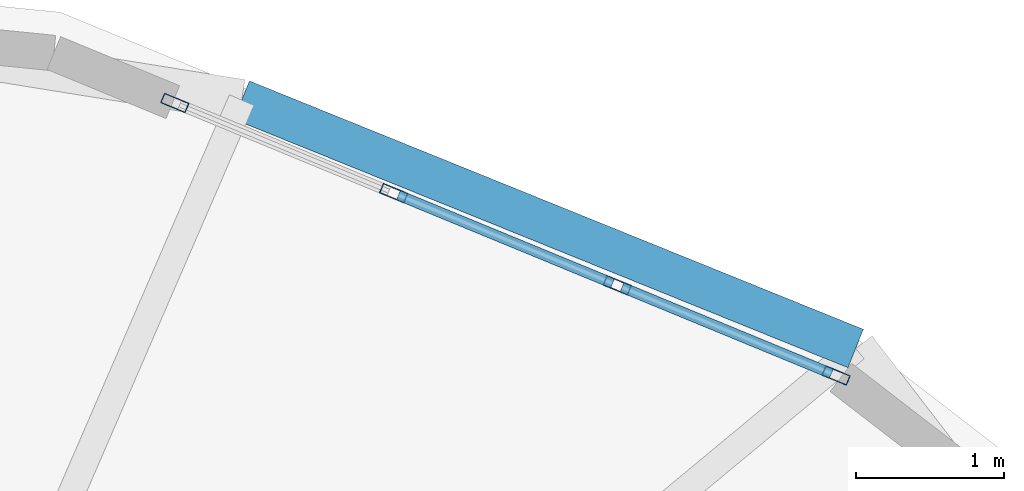
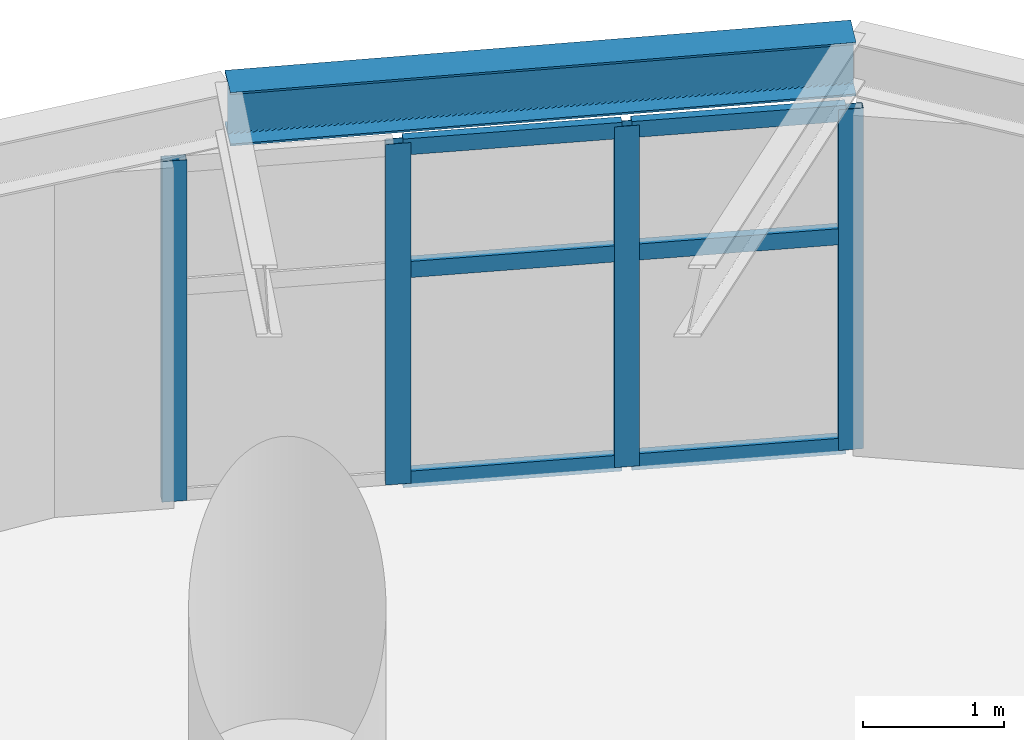
# One storey, part 10 of 20: 10 members, 1 beam, 1 element without a shape of its own.
"""IFC4 building model written with IfcOpenShell, lengths in metres."""

import ifcopenshell
import ifcopenshell.guid

model = None  # the IFC model being written
_history = None  # IfcOwnerHistory: only IFC2X3 demands one
_inside = {}  # id of a spatial element -> (the spatial element, [elements in it])
_under = {}  # id of a project, library or spatial element -> (it, [spatial elements below it])
_declared = {}  # id of a project -> (the project, [libraries it declares])
_typed = {}  # id of a type object -> (the type object, [elements of that type])
_made_of = {}  # id of a material, layer set ... -> (it, [elements and type objects made of it])


def new_model(schema):
    """Start an empty IFC model of exactly this schema.

    Asked for "IFC4X3", IfcOpenShell would pick the latest addendum, in which some entities
    have other attributes; the version numbers below select the first issue.
    IFC2X3 requires an IfcOwnerHistory on every rooted entity: one is made here for all.
    """
    global model, _history
    if schema == "IFC4X3":
        model = ifcopenshell.file(schema_version=(4, 3, 0, 0))
    else:
        model = ifcopenshell.file(schema=schema)
    _inside.clear()
    _under.clear()
    _declared.clear()
    _typed.clear()
    _made_of.clear()
    _history = None
    if model.schema == "IFC2X3":
        org = make("IfcOrganization", Name="unknown")
        user = make(
            "IfcPersonAndOrganization",
            ThePerson=make("IfcPerson", FamilyName="unknown"),
            TheOrganization=org,
        )
        app = make(
            "IfcApplication",
            ApplicationDeveloper=org,
            Version="unknown",
            ApplicationFullName="unknown",
            ApplicationIdentifier="unknown",
        )
        _history = make(
            "IfcOwnerHistory",
            OwningUser=user,
            OwningApplication=app,
            ChangeAction="ADDED",
            CreationDate=0,
        )
    return model


def make(cls, **values):
    """One entity of the class cls with the attributes given. An attribute that is None is left unset."""
    return model.create_entity(
        cls, **{name: value for name, value in values.items() if value is not None}
    )


def rooted(cls, **values):
    """An entity with a GlobalId (a new one), such as an element, a storey or a relation."""
    return make(cls, GlobalId=ifcopenshell.guid.new(), OwnerHistory=_history, **values)


def si_unit(unit_type, name, prefix=None):
    """IfcSIUnit, for example si_unit("LENGTHUNIT", "METRE", prefix="MILLI")."""
    return make("IfcSIUnit", UnitType=unit_type, Prefix=prefix, Name=name)


def assignment(units):
    """IfcUnitAssignment: the units of a project."""
    return None if units is None else make("IfcUnitAssignment", Units=units)


def point(xyz):
    """IfcCartesianPoint."""
    return None if xyz is None else make("IfcCartesianPoint", Coordinates=xyz)


def direction(xyz):
    """IfcDirection."""
    return None if xyz is None else make("IfcDirection", DirectionRatios=xyz)


def frame(location, z_axis=None, x_axis=None):
    """IfcAxis2Placement3D, a coordinate frame: its origin and axes. An axis left out is left unset."""
    return make(
        "IfcAxis2Placement3D",
        Location=point(location),
        Axis=direction(z_axis),
        RefDirection=direction(x_axis),
    )


def frame_2d(location, x_axis=None):
    """IfcAxis2Placement2D, a coordinate frame in the plane: its origin and x axis."""
    return make(
        "IfcAxis2Placement2D", Location=point(location), RefDirection=direction(x_axis)
    )


def origin():
    """The frame at (0, 0, 0) with its axes left unset."""
    return frame((0.0, 0.0, 0.0))


def origin_2d():
    """The frame at (0, 0) in the plane with its x axis left unset."""
    return frame_2d((0.0, 0.0))


def place(relative_to, where):
    """IfcLocalPlacement: puts the frame where relative to a parent placement (None: the world)."""
    return make(
        "IfcLocalPlacement", PlacementRelTo=relative_to, RelativePlacement=where
    )


def context(
    kind, dimensions, precision=None, world=None, true_north=None, identifier=None
):
    """IfcGeometricRepresentationContext, for example the 3D "Model" context."""
    return make(
        "IfcGeometricRepresentationContext",
        ContextIdentifier=identifier,
        ContextType=kind,
        CoordinateSpaceDimension=dimensions,
        Precision=precision,
        WorldCoordinateSystem=world,
        TrueNorth=true_north,
    )


def subcontext(parent, identifier, kind, view, scale=None):
    """IfcGeometricRepresentationSubContext, for example "Body" below "Model"."""
    return make(
        "IfcGeometricRepresentationSubContext",
        ContextIdentifier=identifier,
        ContextType=kind,
        ParentContext=parent,
        TargetScale=scale,
        TargetView=view,
    )


def project(units=None, contexts=None):
    """IfcProject with its units and contexts."""
    return rooted(
        "IfcProject",
        Name="project",
        RepresentationContexts=contexts,
        UnitsInContext=assignment(units),
    )


def spatial(cls, under=None, at=None, **own):
    """A site, building, storey or space (cls), placed at a placement, below another one or the project."""
    s = rooted(cls, ObjectPlacement=at, **own)
    if under is not None:
        _under.setdefault(under.id(), (under, []))[1].append(s)
    return s


def profile(cls, at=None, kind="AREA", **sizes):
    """A parametric profile (cls). Its sizes go by their IFC names, for example OverallWidth=200.0."""
    return make(cls, ProfileType=kind, Position=at, **sizes)


def hollow_rectangle(**sizes):
    """IfcRectangleHollowProfileDef."""
    return profile("IfcRectangleHollowProfileDef", **sizes)


def i_section(**sizes):
    """IfcIShapeProfileDef."""
    return profile("IfcIShapeProfileDef", **sizes)


def extrude(swept, where, along, depth):
    """IfcExtrudedAreaSolid: the profile swept, set in the frame where, extruded along a direction by depth."""
    return make(
        "IfcExtrudedAreaSolid",
        SweptArea=swept,
        Position=where,
        ExtrudedDirection=direction(along),
        Depth=depth,
    )


def shape(context_of_items, identifier, shape_type, items):
    """IfcShapeRepresentation: the items that make up one representation, for example the "Body"."""
    return make(
        "IfcShapeRepresentation",
        ContextOfItems=context_of_items,
        RepresentationIdentifier=identifier,
        RepresentationType=shape_type,
        Items=items,
    )


def material(Name=None, Category=None):
    """IfcMaterial."""
    return make("IfcMaterial", Name=Name, Category=Category)


def layer(
    of_material, thickness, ventilated=None, Name=None, Category=None, Priority=None
):
    """IfcMaterialLayer: one layer of a wall or slab, of a material (None: an air gap)."""
    return make(
        "IfcMaterialLayer",
        Material=of_material,
        LayerThickness=thickness,
        IsVentilated=ventilated,
        Name=Name,
        Category=Category,
        Priority=Priority,
    )


def layer_set(layers, Name=None):
    """IfcMaterialLayerSet."""
    return make("IfcMaterialLayerSet", MaterialLayers=layers, LayerSetName=Name)


def material_profile(
    of_material, cross_section, Name=None, Category=None, Priority=None
):
    """IfcMaterialProfile: a cross section and its material."""
    return make(
        "IfcMaterialProfile",
        Name=Name,
        Material=of_material,
        Profile=cross_section,
        Priority=Priority,
        Category=Category,
    )


def profile_set(profiles, Name=None, composite=None):
    """IfcMaterialProfileSet."""
    return make(
        "IfcMaterialProfileSet",
        Name=Name,
        MaterialProfiles=profiles,
        CompositeProfile=composite,
    )


def made_of(thing, what):
    """Note that an element or type object is made of a material, layer set ...; save() writes the relation."""
    if what is not None:
        _made_of.setdefault(what.id(), (what, []))[1].append(thing)
    return thing


def type_object(cls, material=None, **own):
    """A type object (cls), such as IfcWallType, which elements share."""
    return made_of(rooted(cls, **own), material)


def element(
    cls,
    number,
    at=None,
    inside=None,
    cuts=None,
    type_object=None,
    material=None,
    context=None,
    identifier="Body",
    shape_type=None,
    held_by="IfcProductDefinitionShape",
    body=None,
    shapes=None,
    **own,
):
    """One element of the class cls, such as IfcWall. Its Tag is "e" and its number.

    at: its placement. inside: the storey or other place that contains it. cuts: it is an
    opening in that element (IfcRelVoidsElement). A single representation is given by context,
    identifier, shape_type and body (its items); several are given by shapes. held_by: the class
    of the entity that holds the representations. save() writes the other relations.
    """
    e = rooted(cls, Tag="e%d" % number, ObjectPlacement=at, **own)
    if body is not None:
        shapes = [shape(context, identifier, shape_type, body)]
    if shapes is not None:
        e.Representation = make(held_by, Representations=shapes)
    if inside is not None:
        _inside.setdefault(inside.id(), (inside, []))[1].append(e)
    if cuts is not None:
        rooted(
            "IfcRelVoidsElement", RelatingBuildingElement=cuts, RelatedOpeningElement=e
        )
    if type_object is not None:
        _typed.setdefault(type_object.id(), (type_object, []))[1].append(e)
    return made_of(e, material)


def aggregate(whole, parts):
    """IfcRelAggregates: a whole, such as a stair, and the parts it consists of."""
    return rooted("IfcRelAggregates", RelatingObject=whole, RelatedObjects=parts)


def save(model, path):
    """Write the relations noted so far, then the file.

    IfcRelAggregates (storeys below a building ...), IfcRelContainedInSpatialStructure (elements
    in a storey), IfcRelDefinesByType, IfcRelAssociatesMaterial and IfcRelDeclares: one each for
    every whole, place, type object, material and project.
    """
    for whole, parts in _under.values():
        aggregate(whole, parts)
    for where, things in _inside.values():
        rooted(
            "IfcRelContainedInSpatialStructure",
            RelatedElements=things,
            RelatingStructure=where,
        )
    for kind, things in _typed.values():
        rooted("IfcRelDefinesByType", RelatedObjects=things, RelatingType=kind)
    for what, things in _made_of.values():
        rooted("IfcRelAssociatesMaterial", RelatedObjects=things, RelatingMaterial=what)
    for by, libraries in _declared.values():
        rooted("IfcRelDeclares", RelatingContext=by, RelatedDefinitions=libraries)
    model.write(path)


model = new_model("IFC4")

# Units and contexts
model_context = context("Model", 3, precision=1e-05, world=origin(), true_north=direction((0.0, 1.0)))
body_context = subcontext(model_context, "Body", "Model", "MODEL_VIEW")
ifc_project = project(units=[si_unit("LENGTHUNIT", "METRE"), si_unit("AREAUNIT", "SQUARE_METRE"), si_unit("VOLUMEUNIT", "CUBIC_METRE"), si_unit("PLANEANGLEUNIT", "RADIAN"), si_unit("MASSUNIT", "GRAM", prefix="KILO")], contexts=[model_context])

# Site, building, storey
site_placement = place(None, origin())
site = spatial("IfcSite", under=ifc_project, at=site_placement, CompositionType="ELEMENT")
building_placement = place(site_placement, origin())
building = spatial("IfcBuilding", under=site, at=building_placement, Name="Cununo Teusaquillo Station Towers", CompositionType="ELEMENT")
storey_placement = place(building_placement, frame((0.0, 0.0, 129.159912109375)))
storey = spatial("IfcBuildingStorey", under=building, at=storey_placement, Name="L41", CompositionType="ELEMENT", Elevation=129.159912109375)

# Beam
ifc_material_1 = material(Name="Steel ASTM A572 Grade 50", Category="steel")
ifc_material_profile_1 = material_profile(ifc_material_1, i_section(OverallWidth=0.280029296875, OverallDepth=0.462890625, WebThickness=0.0107421875, FlangeThickness=0.017333984375, FilletRadius=0.013916015625, at=origin_2d()), Name="W18X76")
ifc_profile_set_1 = profile_set([ifc_material_profile_1], Name="Steel ASTM A572 Grade 50")
beam_type = type_object("IfcBeamType", Name="BM-RING-Z2", PredefinedType="SPANDREL", material=ifc_profile_set_1)
beam_placement = place(storey_placement, frame((63.9111328125, 39.341064453125, 3.20849609375), z_axis=(-0.927007712072, 0.375042266631, 0.0), x_axis=(-0.375042266631, -0.927007712072, 0.0)))
element("IfcBeam", 1, at=beam_placement, inside=storey, type_object=beam_type, Name="L41 Tower B Spandrel Ring Beam 02", PredefinedType="SPANDREL", context=body_context, shape_type="SweptSolid", body=[
    extrude(i_section(OverallWidth=0.280029296875, OverallDepth=0.462890625, WebThickness=0.0107421875, FlangeThickness=0.017333984375, FilletRadius=0.013916015625, at=origin_2d()), origin(), (0.0, 0.0, 1.0), 4.480712890625),
])

# Curtain wall, members
ifc_material_2 = material(Name="Ceramic-fritted dark low-E double glazing", Category="glass")
ifc_layer = layer(ifc_material_2, 0.179931640625)
ifc_layer_set = layer_set([ifc_layer], Name="Ceramic-fritted dark low-E double glazing")
curtain_wall_type = type_object("IfcCurtainWallType", Name="CW-SYS-04", PredefinedType="USERDEFINED", material=ifc_layer_set)
curtain_wall_placement = place(storey_placement, origin())
curtain_wall = element("IfcCurtainWall", 2, at=curtain_wall_placement, inside=storey, type_object=curtain_wall_type, Name="L41 Tower B Facade Curtain Wall C01", ObjectType="FRITTED GLAZING", PredefinedType="USERDEFINED")
ifc_material_3 = material(Name="Anodised dark bronze aluminium EN AW-6063-T6", Category="aluminium")
ifc_material_profile_2 = material_profile(ifc_material_3, hollow_rectangle(XDim=0.070068359375, YDim=0.179931640625, WallThickness=0.00390625, at=origin_2d()), Name="CW-MULL-70x180")
ifc_profile_set_2 = profile_set([ifc_material_profile_2], Name="Anodised dark bronze aluminium EN AW-6063-T6")
member_type_1 = type_object("IfcMemberType", Name="CWM-180", PredefinedType="MULLION", material=ifc_profile_set_2)
member_1_placement = place(storey_placement, frame((59.3056640625, 41.001953125, 0.0), z_axis=(0.0, 0.0, 1.0), x_axis=(0.381030560176, 0.924562443652, 0.0)))
member_1 = element("IfcMember", 3, at=member_1_placement, type_object=member_type_1, Name="CW-04 mullion 1", PredefinedType="MULLION", context=body_context, shape_type="SweptSolid", body=[
    extrude(hollow_rectangle(XDim=0.070068359375, YDim=0.179931640625, WallThickness=0.00390625, at=origin_2d()), origin(), (0.0, 0.0, 1.0), 2.948974609375),
])
member_2_placement = place(storey_placement, frame((60.785888671875, 40.39208984375, 0.0), z_axis=(0.0, 0.0, 1.0), x_axis=(0.381030560176, 0.924562443652, 0.0)))
member_2 = element("IfcMember", 4, at=member_2_placement, type_object=member_type_1, Name="CW-04 mullion 2", PredefinedType="MULLION", context=body_context, shape_type="SweptSolid", body=[
    extrude(hollow_rectangle(XDim=0.070068359375, YDim=0.179931640625, WallThickness=0.00390625, at=origin_2d()), origin(), (0.0, 0.0, 1.0), 2.948974609375),
])
member_3_placement = place(storey_placement, frame((62.298583984375, 39.7685546875, 0.0), z_axis=(0.0, 0.0, 1.0), x_axis=(0.381030560176, 0.924562443652, 0.0)))
member_3 = element("IfcMember", 5, at=member_3_placement, type_object=member_type_1, Name="CW-04 mullion 3", PredefinedType="MULLION", context=body_context, shape_type="SweptSolid", body=[
    extrude(hollow_rectangle(XDim=0.070068359375, YDim=0.179931640625, WallThickness=0.00390625, at=origin_2d()), origin(), (0.0, 0.0, 1.0), 2.948974609375),
])
member_4_placement = place(storey_placement, frame((63.77880859375, 39.158447265625, 0.0), z_axis=(0.0, 0.0, 1.0), x_axis=(0.381030560176, 0.924562443652, 0.0)))
member_4 = element("IfcMember", 6, at=member_4_placement, type_object=member_type_1, Name="CW-04 mullion 4", PredefinedType="MULLION", context=body_context, shape_type="SweptSolid", body=[
    extrude(hollow_rectangle(XDim=0.070068359375, YDim=0.179931640625, WallThickness=0.00390625, at=origin_2d()), origin(), (0.0, 0.0, 1.0), 2.948974609375),
])
ifc_material_4 = material(Name="Anodised dark bronze aluminium EN AW-6063-T6", Category="aluminium")
ifc_material_profile_3 = material_profile(ifc_material_4, hollow_rectangle(XDim=0.070068359375, YDim=0.139892578125, WallThickness=0.00390625, at=origin_2d()), Name="CW-TRAN-70x140")
ifc_profile_set_3 = profile_set([ifc_material_profile_3], Name="Anodised dark bronze aluminium EN AW-6063-T6")
member_type_2 = type_object("IfcMemberType", Name="CWT-140", PredefinedType="USERDEFINED", material=ifc_profile_set_3)
member_5_placement = place(storey_placement, frame((60.818115234375, 40.378662109375, 0.03515625), z_axis=(0.924577983912, -0.380992849887, 0.0), x_axis=(0.380992849887, 0.924577983912, 0.0)))
member_5 = element("IfcMember", 7, at=member_5_placement, type_object=member_type_2, Name="CW-04 transom 2.1", ObjectType="TRANSOM", PredefinedType="USERDEFINED", context=body_context, shape_type="SweptSolid", body=[
    extrude(hollow_rectangle(XDim=0.070068359375, YDim=0.139892578125, WallThickness=0.00390625, at=origin_2d()), origin(), (0.0, 0.0, 1.0), 1.566162109375),
])
member_6_placement = place(storey_placement, frame((60.818115234375, 40.378662109375, 1.85009765625), z_axis=(0.924577983912, -0.380992849887, 0.0), x_axis=(0.380992849887, 0.924577983912, 0.0)))
member_6 = element("IfcMember", 8, at=member_6_placement, type_object=member_type_2, Name="CW-04 transom 2.2", ObjectType="TRANSOM", PredefinedType="USERDEFINED", context=body_context, shape_type="SweptSolid", body=[
    extrude(hollow_rectangle(XDim=0.070068359375, YDim=0.139892578125, WallThickness=0.00390625, at=origin_2d()), origin(), (0.0, 0.0, 1.0), 1.566162109375),
])
member_7_placement = place(storey_placement, frame((60.818115234375, 40.378662109375, 2.9140625), z_axis=(0.924577983912, -0.380992849887, 0.0), x_axis=(0.380992849887, 0.924577983912, 0.0)))
member_7 = element("IfcMember", 9, at=member_7_placement, type_object=member_type_2, Name="CW-04 transom 2.3", ObjectType="TRANSOM", PredefinedType="USERDEFINED", context=body_context, shape_type="SweptSolid", body=[
    extrude(hollow_rectangle(XDim=0.070068359375, YDim=0.139892578125, WallThickness=0.00390625, at=origin_2d()), origin(), (0.0, 0.0, 1.0), 1.566162109375),
])
member_8_placement = place(storey_placement, frame((62.330810546875, 39.75537109375, 0.03515625), z_axis=(0.924555881283, -0.381046483233, 0.0), x_axis=(0.381046483233, 0.924555881283, 0.0)))
member_8 = element("IfcMember", 10, at=member_8_placement, type_object=member_type_2, Name="CW-04 transom 3.1", ObjectType="TRANSOM", PredefinedType="USERDEFINED", context=body_context, shape_type="SweptSolid", body=[
    extrude(hollow_rectangle(XDim=0.070068359375, YDim=0.139892578125, WallThickness=0.00390625, at=origin_2d()), origin(), (0.0, 0.0, 1.0), 1.53125),
])
member_9_placement = place(storey_placement, frame((62.330810546875, 39.75537109375, 1.85009765625), z_axis=(0.924555881283, -0.381046483233, 0.0), x_axis=(0.381046483233, 0.924555881283, 0.0)))
member_9 = element("IfcMember", 11, at=member_9_placement, type_object=member_type_2, Name="CW-04 transom 3.2", ObjectType="TRANSOM", PredefinedType="USERDEFINED", context=body_context, shape_type="SweptSolid", body=[
    extrude(hollow_rectangle(XDim=0.070068359375, YDim=0.139892578125, WallThickness=0.00390625, at=origin_2d()), origin(), (0.0, 0.0, 1.0), 1.53125),
])
member_10_placement = place(storey_placement, frame((62.330810546875, 39.75537109375, 2.9140625), z_axis=(0.924555881283, -0.381046483233, 0.0), x_axis=(0.381046483233, 0.924555881283, 0.0)))
member_10 = element("IfcMember", 12, at=member_10_placement, type_object=member_type_2, Name="CW-04 transom 3.3", ObjectType="TRANSOM", PredefinedType="USERDEFINED", context=body_context, shape_type="SweptSolid", body=[
    extrude(hollow_rectangle(XDim=0.070068359375, YDim=0.139892578125, WallThickness=0.00390625, at=origin_2d()), origin(), (0.0, 0.0, 1.0), 1.53125),
])
aggregate(curtain_wall, [member_1, member_2, member_3, member_4, member_5, member_6, member_7, member_8, member_9, member_10])

save(model, "model.ifc")
